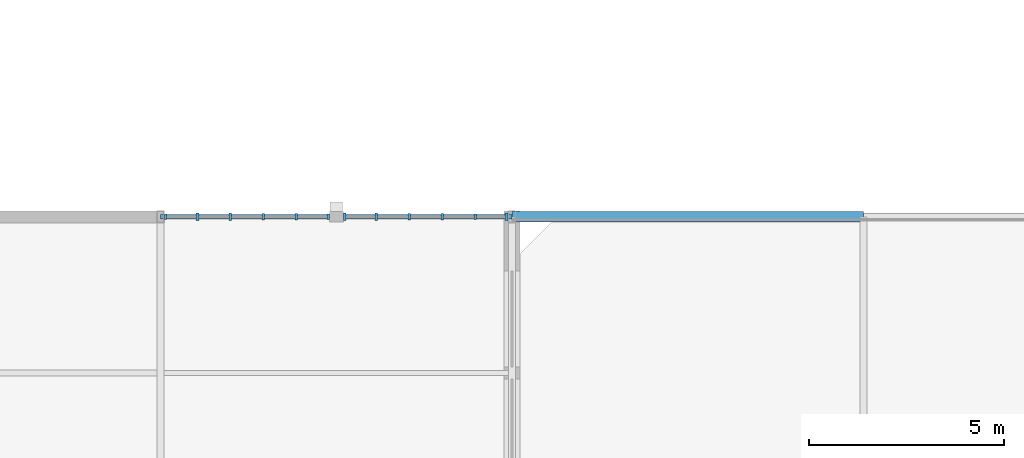
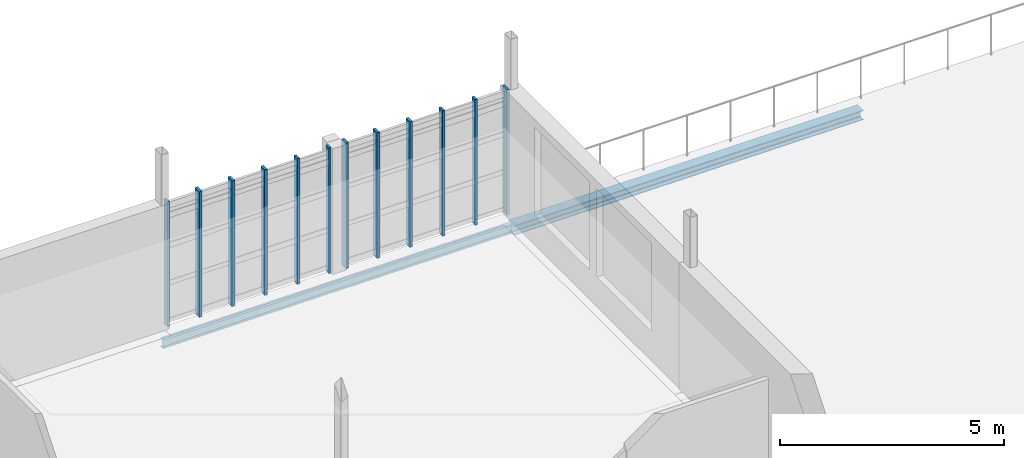
# One storey, part 29 of 128: 12 members, 2 beams, 2 elements without a shape of their own.
"""IFC4 building model written with IfcOpenShell, lengths in metres."""

from ifc_helpers import new_model, si_unit, direction, frame, origin, origin_2d, place, context, subcontext, project, spatial, rectangle, i_section, extrude, material, material_profile, profile_set, type_object, element, aggregate, save


model = new_model("IFC4")

# Units and contexts
model_context = context("Model", 3, precision=1e-05, world=origin(), true_north=direction((0.0, 1.0)))
body_context = subcontext(model_context, "Body", "Model", "MODEL_VIEW")
ifc_project = project(units=[si_unit("LENGTHUNIT", "METRE"), si_unit("AREAUNIT", "SQUARE_METRE"), si_unit("VOLUMEUNIT", "CUBIC_METRE"), si_unit("PLANEANGLEUNIT", "RADIAN"), si_unit("MASSUNIT", "GRAM", prefix="KILO")], contexts=[model_context])

# Site, building, storey
site_placement = place(None, origin())
site = spatial("IfcSite", under=ifc_project, at=site_placement, CompositionType="ELEMENT")
building_placement = place(site_placement, origin())
building = spatial("IfcBuilding", under=site, at=building_placement, Name="Serraforn Aerial Cableway Station", CompositionType="ELEMENT")
storey_placement = place(building_placement, frame((0.0, 0.0, 9.0)))
storey = spatial("IfcBuildingStorey", under=building, at=storey_placement, Name="L02", CompositionType="ELEMENT", Elevation=9.0)

# Beams
ifc_material_1 = material(Name="Steel S355J2", Category="steel")
ifc_material_profile_1 = material_profile(ifc_material_1, i_section(OverallWidth=0.260009765625, OverallDepth=0.260009765625, WebThickness=0.010009765625, FlangeThickness=0.017578125, FilletRadius=0.02392578125, at=origin_2d()), Name="HEB 260")
ifc_profile_set_1 = profile_set([ifc_material_profile_1], Name="Steel S355J2")
beam_type_1 = type_object("IfcBeamType", Name="BM-ST-HEB260", PredefinedType="BEAM", material=ifc_profile_set_1)
beam_1_placement = place(storey_placement, frame((121.199951171875, 42.0, -0.449951171875), z_axis=(1.0, 0.0, 0.0), x_axis=(0.0, 1.0, 0.0)))
element("IfcBeam", 1, at=beam_1_placement, inside=storey, type_object=beam_type_1, Name="Grid Girder X EL L02 Y3-4", PredefinedType="BEAM", context=body_context, shape_type="SweptSolid", body=[
    extrude(i_section(OverallWidth=0.260009765625, OverallDepth=0.260009765625, WebThickness=0.010009765625, FlangeThickness=0.017578125, FilletRadius=0.02392578125, at=origin_2d()), origin(), (0.0, 0.0, 1.0), 9.0),
])
ifc_material_2 = material(Name="Steel S355JR", Category="steel")
ifc_material_profile_2 = material_profile(ifc_material_2, i_section(OverallWidth=0.1201171875, OverallDepth=0.239990234375, WebThickness=0.006103515625, FlangeThickness=0.009765625, FilletRadius=0.014892578125, at=origin_2d()), Name="IPE 240")
ifc_profile_set_2 = profile_set([ifc_material_profile_2], Name="Steel S355JR")
beam_type_2 = type_object("IfcBeamType", Name="BM-ST-IPE240", PredefinedType="SPANDREL", material=ifc_profile_set_2)
beam_2_placement = place(storey_placement, frame((112.199951171875, 42.0, -0.43994140625), z_axis=(1.0, 0.0, 0.0), x_axis=(0.0, 1.0, 0.0)))
element("IfcBeam", 2, at=beam_2_placement, inside=storey, type_object=beam_type_2, Name="Grid Girder X EL L02 Y3-3", PredefinedType="SPANDREL", context=body_context, shape_type="SweptSolid", body=[
    extrude(i_section(OverallWidth=0.1201171875, OverallDepth=0.239990234375, WebThickness=0.006103515625, FlangeThickness=0.009765625, FilletRadius=0.014892578125, at=origin_2d()), origin(), (0.0, 0.0, 1.0), 9.0),
])

# Curtain wall, member
ifc_material_3 = material(Name="Anodised bronze unitised curtain wall")
curtain_wall_type_1 = type_object("IfcCurtainWallType", Name="CW-SYS-1", PredefinedType="USERDEFINED", material=ifc_material_3)
curtain_wall_1_placement = place(storey_placement, origin())
curtain_wall_1 = element("IfcCurtainWall", 3, at=curtain_wall_1_placement, inside=storey, type_object=curtain_wall_type_1, Name="Unitised Curtain Wall CW-EL-L02-N3A", ObjectType="UNITISED CURTAIN WALL", PredefinedType="USERDEFINED")
ifc_material_4 = material(Name="Anodised bronze extruded aluminium", Category="aluminium")
ifc_material_profile_3 = material_profile(ifc_material_4, rectangle(XDim=0.054931640625, YDim=0.139892578125, at=origin_2d()), Name="CW MULLION 55x140")
ifc_profile_set_3 = profile_set([ifc_material_profile_3], Name="Anodised bronze extruded aluminium")
member_type_1 = type_object("IfcMemberType", Name="CW-MUL-1", PredefinedType="MULLION", material=ifc_profile_set_3)
member_1_placement = place(storey_placement, frame((120.257568359375, 42.0, 0.0), z_axis=(0.0, 0.0, 1.0), x_axis=(-1.0, 0.0, 0.0)))
member_1 = element("IfcMember", 4, at=member_1_placement, type_object=member_type_1, Name="Curtain Wall Mullion CW-EL-L02-N3A-M2", PredefinedType="MULLION", context=body_context, shape_type="SweptSolid", body=[
    extrude(rectangle(XDim=0.054931640625, YDim=0.139892578125, at=origin_2d()), origin(), (0.0, 0.0, 1.0), 3.419921875),
])

# Curtain wall, members
curtain_wall_type_2 = type_object("IfcCurtainWallType", Name="CW-SYS-2", PredefinedType="USERDEFINED", material=ifc_material_3)
curtain_wall_2_placement = place(storey_placement, origin())
curtain_wall_2 = element("IfcCurtainWall", 5, at=curtain_wall_2_placement, inside=storey, type_object=curtain_wall_type_2, Name="Unitised Curtain Wall CW-EL-L02-N3B", ObjectType="UNITISED CURTAIN WALL", PredefinedType="USERDEFINED")
member_2_placement = place(storey_placement, frame((116.492431640625, 42.0, 0.0), z_axis=(0.0, 0.0, 1.0), x_axis=(-1.0, 0.0, 0.0)))
member_2 = element("IfcMember", 6, at=member_2_placement, type_object=member_type_1, Name="Curtain Wall Mullion CW-EL-L02-N3B-M1", PredefinedType="MULLION", context=body_context, shape_type="SweptSolid", body=[
    extrude(rectangle(XDim=0.054931640625, YDim=0.139892578125, at=origin_2d()), origin(), (0.0, 0.0, 1.0), 3.419921875),
])
member_3_placement = place(storey_placement, frame((112.325439453125, 42.0, 0.0), z_axis=(0.0, 0.0, 1.0), x_axis=(-1.0, 0.0, 0.0)))
member_3 = element("IfcMember", 7, at=member_3_placement, type_object=member_type_1, Name="Curtain Wall Mullion CW-EL-L02-N3B-M6", PredefinedType="MULLION", context=body_context, shape_type="SweptSolid", body=[
    extrude(rectangle(XDim=0.054931640625, YDim=0.139892578125, at=origin_2d()), origin(), (0.0, 0.0, 1.0), 3.419921875),
])

# Member
ifc_material_profile_4 = material_profile(ifc_material_4, rectangle(XDim=0.06005859375, YDim=0.159912109375, at=origin_2d()), Name="CW MULLION 60x160")
ifc_profile_set_4 = profile_set([ifc_material_profile_4], Name="Anodised bronze extruded aluminium")
member_type_2 = type_object("IfcMemberType", Name="CW-MUL-2", PredefinedType="MULLION", material=ifc_profile_set_4)
member_4_placement = place(storey_placement, frame((119.4130859375, 42.0, 0.0), z_axis=(0.0, 0.0, 1.0), x_axis=(-1.0, 0.0, 0.0)))
member_4 = element("IfcMember", 8, at=member_4_placement, type_object=member_type_2, Name="Curtain Wall Mullion CW-EL-L02-N3A-M3", PredefinedType="MULLION", context=body_context, shape_type="SweptSolid", body=[
    extrude(rectangle(XDim=0.06005859375, YDim=0.159912109375, at=origin_2d()), origin(), (0.0, 0.0, 1.0), 3.419921875),
])

member_5_placement = place(storey_placement, frame((115.675537109375, 42.0, 0.0), z_axis=(0.0, 0.0, 1.0), x_axis=(-1.0, 0.0, 0.0)))
member_5 = element("IfcMember", 9, at=member_5_placement, type_object=member_type_2, Name="Curtain Wall Mullion CW-EL-L02-N3B-M2", PredefinedType="MULLION", context=body_context, shape_type="SweptSolid", body=[
    extrude(rectangle(XDim=0.06005859375, YDim=0.159912109375, at=origin_2d()), origin(), (0.0, 0.0, 1.0), 3.419921875),
])

ifc_material_profile_5 = material_profile(ifc_material_4, rectangle(XDim=0.06494140625, YDim=0.175048828125, at=origin_2d()), Name="CW MULLION 65x175")
ifc_profile_set_5 = profile_set([ifc_material_profile_5], Name="Anodised bronze extruded aluminium")
member_type_3 = type_object("IfcMemberType", Name="CW-MUL-3", PredefinedType="MULLION", material=ifc_profile_set_5)
member_6_placement = place(storey_placement, frame((118.56884765625, 42.0, 0.0), z_axis=(0.0, 0.0, 1.0), x_axis=(-1.0, 0.0, 0.0)))
member_6 = element("IfcMember", 10, at=member_6_placement, type_object=member_type_3, Name="Curtain Wall Mullion CW-EL-L02-N3A-M4", PredefinedType="MULLION", context=body_context, shape_type="SweptSolid", body=[
    extrude(rectangle(XDim=0.06494140625, YDim=0.175048828125, at=origin_2d()), origin(), (0.0, 0.0, 1.0), 3.419921875),
])

member_7_placement = place(storey_placement, frame((114.831298828125, 42.0, 0.0), z_axis=(0.0, 0.0, 1.0), x_axis=(-1.0, 0.0, 0.0)))
member_7 = element("IfcMember", 11, at=member_7_placement, type_object=member_type_3, Name="Curtain Wall Mullion CW-EL-L02-N3B-M3", PredefinedType="MULLION", context=body_context, shape_type="SweptSolid", body=[
    extrude(rectangle(XDim=0.06494140625, YDim=0.175048828125, at=origin_2d()), origin(), (0.0, 0.0, 1.0), 3.419921875),
])

ifc_material_profile_6 = material_profile(ifc_material_4, rectangle(XDim=0.070068359375, YDim=0.18994140625, at=origin_2d()), Name="CW MULLION 70x190")
ifc_profile_set_6 = profile_set([ifc_material_profile_6], Name="Anodised bronze extruded aluminium")
member_type_4 = type_object("IfcMemberType", Name="CW-MUL-4", PredefinedType="MULLION", material=ifc_profile_set_6)
member_8_placement = place(storey_placement, frame((117.724365234375, 42.0, 0.0), z_axis=(0.0, 0.0, 1.0), x_axis=(-1.0, 0.0, 0.0)))
member_8 = element("IfcMember", 12, at=member_8_placement, type_object=member_type_4, Name="Curtain Wall Mullion CW-EL-L02-N3A-M5", PredefinedType="MULLION", context=body_context, shape_type="SweptSolid", body=[
    extrude(rectangle(XDim=0.070068359375, YDim=0.18994140625, at=origin_2d()), origin(), (0.0, 0.0, 1.0), 3.419921875),
])

member_9_placement = place(storey_placement, frame((113.98681640625, 42.0, 0.0), z_axis=(0.0, 0.0, 1.0), x_axis=(-1.0, 0.0, 0.0)))
member_9 = element("IfcMember", 13, at=member_9_placement, type_object=member_type_4, Name="Curtain Wall Mullion CW-EL-L02-N3B-M4", PredefinedType="MULLION", context=body_context, shape_type="SweptSolid", body=[
    extrude(rectangle(XDim=0.070068359375, YDim=0.18994140625, at=origin_2d()), origin(), (0.0, 0.0, 1.0), 3.419921875),
])

ifc_material_profile_7 = material_profile(ifc_material_4, rectangle(XDim=0.074951171875, YDim=0.199951171875, at=origin_2d()), Name="CW MULLION 75x200")
ifc_profile_set_7 = profile_set([ifc_material_profile_7], Name="Anodised bronze extruded aluminium")
member_type_5 = type_object("IfcMemberType", Name="CW-MUL-5", PredefinedType="MULLION", material=ifc_profile_set_7)
member_10_placement = place(storey_placement, frame((121.064453125, 42.0, 0.0), z_axis=(0.0, 0.0, 1.0), x_axis=(-1.0, 0.0, 0.0)))
member_10 = element("IfcMember", 14, at=member_10_placement, type_object=member_type_5, Name="Curtain Wall Mullion CW-EL-L02-N3A-M1", PredefinedType="MULLION", context=body_context, shape_type="SweptSolid", body=[
    extrude(rectangle(XDim=0.074951171875, YDim=0.199951171875, at=origin_2d()), origin(), (0.0, 0.0, 1.0), 3.419921875),
])

member_11_placement = place(storey_placement, frame((116.91748046875, 42.0, 0.0), z_axis=(0.0, 0.0, 1.0), x_axis=(-1.0, 0.0, 0.0)))
member_11 = element("IfcMember", 15, at=member_11_placement, type_object=member_type_5, Name="Curtain Wall Mullion CW-EL-L02-N3A-M6", PredefinedType="MULLION", context=body_context, shape_type="SweptSolid", body=[
    extrude(rectangle(XDim=0.074951171875, YDim=0.199951171875, at=origin_2d()), origin(), (0.0, 0.0, 1.0), 3.419921875),
])

aggregate(curtain_wall_1, [member_10, member_1, member_4, member_6, member_8, member_11])

member_12_placement = place(storey_placement, frame((113.142333984375, 42.0, 0.0), z_axis=(0.0, 0.0, 1.0), x_axis=(-1.0, 0.0, 0.0)))
member_12 = element("IfcMember", 16, at=member_12_placement, type_object=member_type_5, Name="Curtain Wall Mullion CW-EL-L02-N3B-M5", PredefinedType="MULLION", context=body_context, shape_type="SweptSolid", body=[
    extrude(rectangle(XDim=0.074951171875, YDim=0.199951171875, at=origin_2d()), origin(), (0.0, 0.0, 1.0), 3.419921875),
])

aggregate(curtain_wall_2, [member_2, member_5, member_7, member_9, member_12, member_3])

save(model, "model.ifc")
